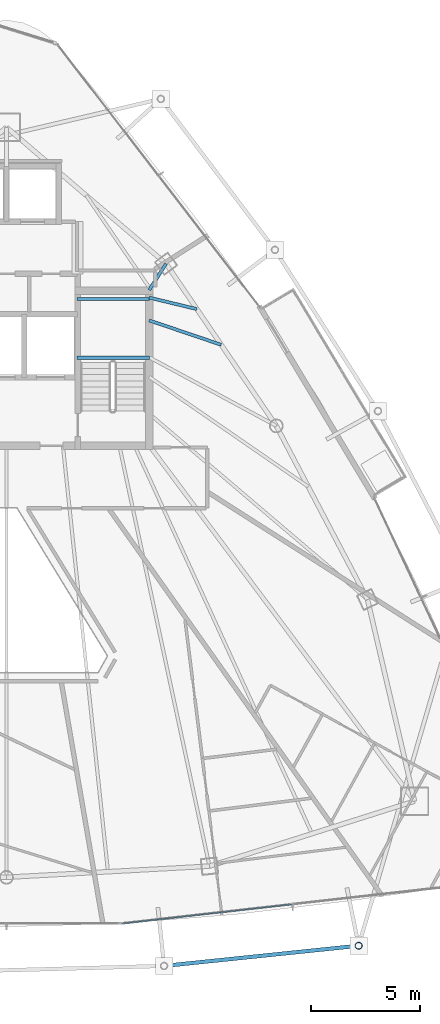
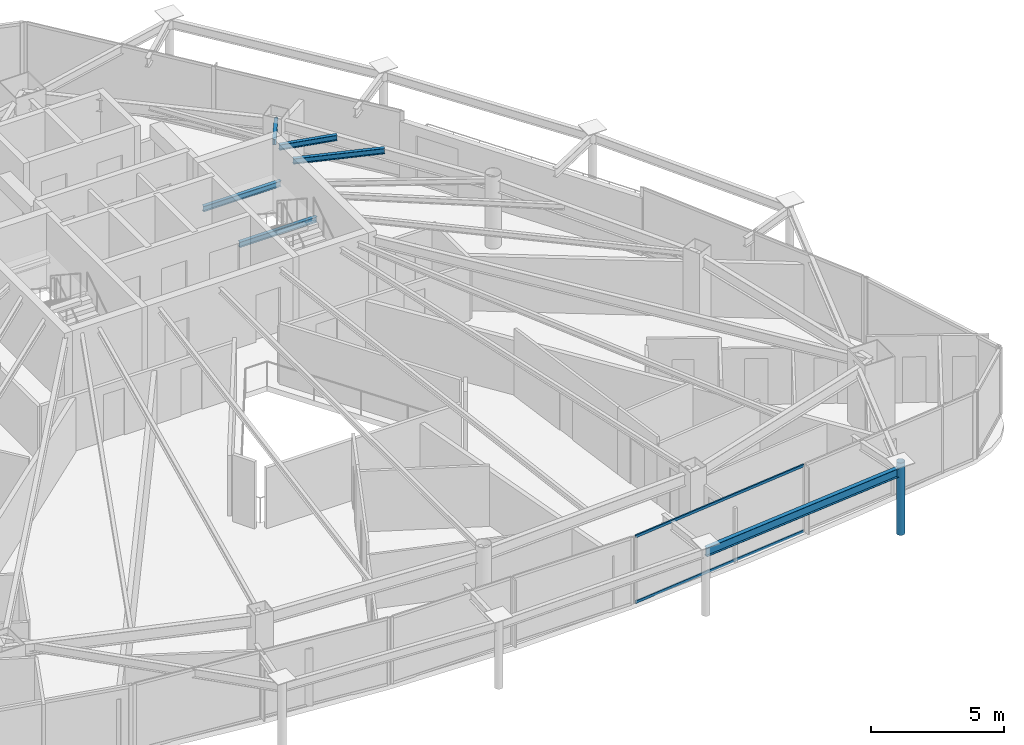
# One storey, part 14 of 33: 6 beams, 3 members, 1 element without a shape of its own.
"""IFC4 building model written with IfcOpenShell, lengths in metres."""

import ifcopenshell
import ifcopenshell.guid

model = None  # the IFC model being written
_history = None  # IfcOwnerHistory: only IFC2X3 demands one
_inside = {}  # id of a spatial element -> (the spatial element, [elements in it])
_under = {}  # id of a project, library or spatial element -> (it, [spatial elements below it])
_declared = {}  # id of a project -> (the project, [libraries it declares])
_typed = {}  # id of a type object -> (the type object, [elements of that type])
_made_of = {}  # id of a material, layer set ... -> (it, [elements and type objects made of it])


def new_model(schema):
    """Start an empty IFC model of exactly this schema.

    Asked for "IFC4X3", IfcOpenShell would pick the latest addendum, in which some entities
    have other attributes; the version numbers below select the first issue.
    IFC2X3 requires an IfcOwnerHistory on every rooted entity: one is made here for all.
    """
    global model, _history
    if schema == "IFC4X3":
        model = ifcopenshell.file(schema_version=(4, 3, 0, 0))
    else:
        model = ifcopenshell.file(schema=schema)
    _inside.clear()
    _under.clear()
    _declared.clear()
    _typed.clear()
    _made_of.clear()
    _history = None
    if model.schema == "IFC2X3":
        org = make("IfcOrganization", Name="unknown")
        user = make(
            "IfcPersonAndOrganization",
            ThePerson=make("IfcPerson", FamilyName="unknown"),
            TheOrganization=org,
        )
        app = make(
            "IfcApplication",
            ApplicationDeveloper=org,
            Version="unknown",
            ApplicationFullName="unknown",
            ApplicationIdentifier="unknown",
        )
        _history = make(
            "IfcOwnerHistory",
            OwningUser=user,
            OwningApplication=app,
            ChangeAction="ADDED",
            CreationDate=0,
        )
    return model


def make(cls, **values):
    """One entity of the class cls with the attributes given. An attribute that is None is left unset."""
    return model.create_entity(
        cls, **{name: value for name, value in values.items() if value is not None}
    )


def rooted(cls, **values):
    """An entity with a GlobalId (a new one), such as an element, a storey or a relation."""
    return make(cls, GlobalId=ifcopenshell.guid.new(), OwnerHistory=_history, **values)


def si_unit(unit_type, name, prefix=None):
    """IfcSIUnit, for example si_unit("LENGTHUNIT", "METRE", prefix="MILLI")."""
    return make("IfcSIUnit", UnitType=unit_type, Prefix=prefix, Name=name)


def assignment(units):
    """IfcUnitAssignment: the units of a project."""
    return None if units is None else make("IfcUnitAssignment", Units=units)


def point(xyz):
    """IfcCartesianPoint."""
    return None if xyz is None else make("IfcCartesianPoint", Coordinates=xyz)


def direction(xyz):
    """IfcDirection."""
    return None if xyz is None else make("IfcDirection", DirectionRatios=xyz)


def frame(location, z_axis=None, x_axis=None):
    """IfcAxis2Placement3D, a coordinate frame: its origin and axes. An axis left out is left unset."""
    return make(
        "IfcAxis2Placement3D",
        Location=point(location),
        Axis=direction(z_axis),
        RefDirection=direction(x_axis),
    )


def frame_2d(location, x_axis=None):
    """IfcAxis2Placement2D, a coordinate frame in the plane: its origin and x axis."""
    return make(
        "IfcAxis2Placement2D", Location=point(location), RefDirection=direction(x_axis)
    )


def origin():
    """The frame at (0, 0, 0) with its axes left unset."""
    return frame((0.0, 0.0, 0.0))


def origin_2d():
    """The frame at (0, 0) in the plane with its x axis left unset."""
    return frame_2d((0.0, 0.0))


def place(relative_to, where):
    """IfcLocalPlacement: puts the frame where relative to a parent placement (None: the world)."""
    return make(
        "IfcLocalPlacement", PlacementRelTo=relative_to, RelativePlacement=where
    )


def context(
    kind, dimensions, precision=None, world=None, true_north=None, identifier=None
):
    """IfcGeometricRepresentationContext, for example the 3D "Model" context."""
    return make(
        "IfcGeometricRepresentationContext",
        ContextIdentifier=identifier,
        ContextType=kind,
        CoordinateSpaceDimension=dimensions,
        Precision=precision,
        WorldCoordinateSystem=world,
        TrueNorth=true_north,
    )


def subcontext(parent, identifier, kind, view, scale=None):
    """IfcGeometricRepresentationSubContext, for example "Body" below "Model"."""
    return make(
        "IfcGeometricRepresentationSubContext",
        ContextIdentifier=identifier,
        ContextType=kind,
        ParentContext=parent,
        TargetScale=scale,
        TargetView=view,
    )


def project(units=None, contexts=None):
    """IfcProject with its units and contexts."""
    return rooted(
        "IfcProject",
        Name="project",
        RepresentationContexts=contexts,
        UnitsInContext=assignment(units),
    )


def spatial(cls, under=None, at=None, **own):
    """A site, building, storey or space (cls), placed at a placement, below another one or the project."""
    s = rooted(cls, ObjectPlacement=at, **own)
    if under is not None:
        _under.setdefault(under.id(), (under, []))[1].append(s)
    return s


def profile(cls, at=None, kind="AREA", **sizes):
    """A parametric profile (cls). Its sizes go by their IFC names, for example OverallWidth=200.0."""
    return make(cls, ProfileType=kind, Position=at, **sizes)


def hollow_rectangle(**sizes):
    """IfcRectangleHollowProfileDef."""
    return profile("IfcRectangleHollowProfileDef", **sizes)


def hollow_circle(**sizes):
    """IfcCircleHollowProfileDef."""
    return profile("IfcCircleHollowProfileDef", **sizes)


def i_section(**sizes):
    """IfcIShapeProfileDef."""
    return profile("IfcIShapeProfileDef", **sizes)


def extrude(swept, where, along, depth):
    """IfcExtrudedAreaSolid: the profile swept, set in the frame where, extruded along a direction by depth."""
    return make(
        "IfcExtrudedAreaSolid",
        SweptArea=swept,
        Position=where,
        ExtrudedDirection=direction(along),
        Depth=depth,
    )


def shape(context_of_items, identifier, shape_type, items):
    """IfcShapeRepresentation: the items that make up one representation, for example the "Body"."""
    return make(
        "IfcShapeRepresentation",
        ContextOfItems=context_of_items,
        RepresentationIdentifier=identifier,
        RepresentationType=shape_type,
        Items=items,
    )


def material(Name=None, Category=None):
    """IfcMaterial."""
    return make("IfcMaterial", Name=Name, Category=Category)


def layer(
    of_material, thickness, ventilated=None, Name=None, Category=None, Priority=None
):
    """IfcMaterialLayer: one layer of a wall or slab, of a material (None: an air gap)."""
    return make(
        "IfcMaterialLayer",
        Material=of_material,
        LayerThickness=thickness,
        IsVentilated=ventilated,
        Name=Name,
        Category=Category,
        Priority=Priority,
    )


def layer_set(layers, Name=None):
    """IfcMaterialLayerSet."""
    return make("IfcMaterialLayerSet", MaterialLayers=layers, LayerSetName=Name)


def material_profile(
    of_material, cross_section, Name=None, Category=None, Priority=None
):
    """IfcMaterialProfile: a cross section and its material."""
    return make(
        "IfcMaterialProfile",
        Name=Name,
        Material=of_material,
        Profile=cross_section,
        Priority=Priority,
        Category=Category,
    )


def profile_set(profiles, Name=None, composite=None):
    """IfcMaterialProfileSet."""
    return make(
        "IfcMaterialProfileSet",
        Name=Name,
        MaterialProfiles=profiles,
        CompositeProfile=composite,
    )


def made_of(thing, what):
    """Note that an element or type object is made of a material, layer set ...; save() writes the relation."""
    if what is not None:
        _made_of.setdefault(what.id(), (what, []))[1].append(thing)
    return thing


def type_object(cls, material=None, **own):
    """A type object (cls), such as IfcWallType, which elements share."""
    return made_of(rooted(cls, **own), material)


def element(
    cls,
    number,
    at=None,
    inside=None,
    cuts=None,
    type_object=None,
    material=None,
    context=None,
    identifier="Body",
    shape_type=None,
    held_by="IfcProductDefinitionShape",
    body=None,
    shapes=None,
    **own,
):
    """One element of the class cls, such as IfcWall. Its Tag is "e" and its number.

    at: its placement. inside: the storey or other place that contains it. cuts: it is an
    opening in that element (IfcRelVoidsElement). A single representation is given by context,
    identifier, shape_type and body (its items); several are given by shapes. held_by: the class
    of the entity that holds the representations. save() writes the other relations.
    """
    e = rooted(cls, Tag="e%d" % number, ObjectPlacement=at, **own)
    if body is not None:
        shapes = [shape(context, identifier, shape_type, body)]
    if shapes is not None:
        e.Representation = make(held_by, Representations=shapes)
    if inside is not None:
        _inside.setdefault(inside.id(), (inside, []))[1].append(e)
    if cuts is not None:
        rooted(
            "IfcRelVoidsElement", RelatingBuildingElement=cuts, RelatedOpeningElement=e
        )
    if type_object is not None:
        _typed.setdefault(type_object.id(), (type_object, []))[1].append(e)
    return made_of(e, material)


def aggregate(whole, parts):
    """IfcRelAggregates: a whole, such as a stair, and the parts it consists of."""
    return rooted("IfcRelAggregates", RelatingObject=whole, RelatedObjects=parts)


def save(model, path):
    """Write the relations noted so far, then the file.

    IfcRelAggregates (storeys below a building ...), IfcRelContainedInSpatialStructure (elements
    in a storey), IfcRelDefinesByType, IfcRelAssociatesMaterial and IfcRelDeclares: one each for
    every whole, place, type object, material and project.
    """
    for whole, parts in _under.values():
        aggregate(whole, parts)
    for where, things in _inside.values():
        rooted(
            "IfcRelContainedInSpatialStructure",
            RelatedElements=things,
            RelatingStructure=where,
        )
    for kind, things in _typed.values():
        rooted("IfcRelDefinesByType", RelatedObjects=things, RelatingType=kind)
    for what, things in _made_of.values():
        rooted("IfcRelAssociatesMaterial", RelatedObjects=things, RelatingMaterial=what)
    for by, libraries in _declared.values():
        rooted("IfcRelDeclares", RelatingContext=by, RelatedDefinitions=libraries)
    model.write(path)


model = new_model("IFC4")

# Units and contexts
model_context = context("Model", 3, precision=1e-05, world=origin(), true_north=direction((0.0, 1.0)))
body_context = subcontext(model_context, "Body", "Model", "MODEL_VIEW")
ifc_project = project(units=[si_unit("LENGTHUNIT", "METRE"), si_unit("AREAUNIT", "SQUARE_METRE"), si_unit("VOLUMEUNIT", "CUBIC_METRE"), si_unit("PLANEANGLEUNIT", "RADIAN"), si_unit("MASSUNIT", "GRAM", prefix="KILO")], contexts=[model_context])

# Site, building, storey
site_placement = place(None, origin())
site = spatial("IfcSite", under=ifc_project, at=site_placement, CompositionType="ELEMENT")
building_placement = place(site_placement, origin())
building = spatial("IfcBuilding", under=site, at=building_placement, Name="Orvanel Arch Residences", CompositionType="ELEMENT")
storey_placement = place(building_placement, frame((0.0, 0.0, 212.89990234375)))
storey = spatial("IfcBuildingStorey", under=building, at=storey_placement, Name="L60", CompositionType="ELEMENT", Elevation=212.89990234375)

# Beams
ifc_material_1 = material(Name="Structural steel AS/NZS 3679.1 Grade 300 (300 MPa)", Category="steel")
ifc_material_profile_1 = material_profile(ifc_material_1, i_section(OverallWidth=0.14599609375, OverallDepth=0.251953125, WebThickness=0.006103515625, FlangeThickness=0.008544921875, at=origin_2d()), Name="250UB31.4")
ifc_profile_set_1 = profile_set([ifc_material_profile_1], Name="Structural steel AS/NZS 3679.1 Grade 300 (300 MPa)")
beam_type_1 = type_object("IfcBeamType", Name="BJ-250UB", PredefinedType="JOIST", material=ifc_profile_set_1)
for number, where, z_axis, x_axis, name in (
    (1, (36.25, 30.780029296875, 1.32421875), (1.0, 0.0, 0.0), (0.0, 1.0, 0.0), "L60 ST-2 Half-Landing Support Beam 1.1"),
    (2, (36.25, 33.47998046875, 1.32421875), (1.0, 0.0, 0.0), (0.0, 1.0, 0.0), "L60 ST-2 Half-Landing Support Beam 1.2"),
):
    element("IfcBeam", number, at=place(storey_placement, frame(where, z_axis=z_axis, x_axis=x_axis)), inside=storey, type_object=beam_type_1, Name=name, PredefinedType="JOIST", context=body_context, shape_type="SweptSolid", body=[
        extrude(i_section(OverallWidth=0.14599609375, OverallDepth=0.251953125, WebThickness=0.006103515625, FlangeThickness=0.008544921875, at=origin_2d()), origin(), (0.0, 0.0, 1.0), 3.35009765625),
    ])
beam_1_placement = place(storey_placement, frame((39.574951171875, 33.89990234375, 2.93408203125), z_axis=(0.539395075146, 0.842052820735, 0.0), x_axis=(-0.842052820735, 0.539395075146, 0.0)))
element("IfcBeam", 3, at=beam_1_placement, inside=storey, type_object=beam_type_1, Name="L60 NNE Wing Floor Joist", PredefinedType="JOIST", context=body_context, shape_type="SweptSolid", body=[
    extrude(i_section(OverallWidth=0.14599609375, OverallDepth=0.251953125, WebThickness=0.006103515625, FlangeThickness=0.008544921875, at=origin_2d()), origin(), (0.0, 0.0, 1.0), 1.440673828125),
])
beam_2_placement = place(storey_placement, frame((39.574951171875, 32.5, 2.93408203125), z_axis=(0.947159269453, -0.320763648641, 0.0), x_axis=(0.320763648641, 0.947159269453, 0.0)))
element("IfcBeam", 4, at=beam_2_placement, inside=storey, type_object=beam_type_1, Name="L60 ENE Wing Floor Joist", PredefinedType="JOIST", context=body_context, shape_type="SweptSolid", body=[
    extrude(i_section(OverallWidth=0.14599609375, OverallDepth=0.251953125, WebThickness=0.006103515625, FlangeThickness=0.008544921875, at=origin_2d()), origin(), (0.0, 0.0, 1.0), 3.501220703125),
])
beam_3_placement = place(storey_placement, frame((39.574951171875, 33.550048828125, 2.93408203125), z_axis=(0.972256833016, -0.23391590509, 0.0), x_axis=(0.23391590509, 0.972256833016, 0.0)))
element("IfcBeam", 5, at=beam_3_placement, inside=storey, type_object=beam_type_1, Name="L60 JADD4 Wing Floor Joist", PredefinedType="JOIST", context=body_context, shape_type="SweptSolid", body=[
    extrude(i_section(OverallWidth=0.14599609375, OverallDepth=0.251953125, WebThickness=0.006103515625, FlangeThickness=0.008544921875, at=origin_2d()), origin(), (0.0, 0.0, 1.0), 2.26171875),
])
ifc_material_profile_2 = material_profile(ifc_material_1, i_section(OverallWidth=0.177978515625, OverallDepth=0.406005859375, WebThickness=0.0078125, FlangeThickness=0.0126953125, at=origin_2d()), Name="410UB59.7")
ifc_profile_set_2 = profile_set([ifc_material_profile_2], Name="Structural steel AS/NZS 3679.1 Grade 300 (300 MPa)")
beam_type_2 = type_object("IfcBeamType", Name="OB-410UB-EXT", PredefinedType="SPANDREL", material=ifc_profile_set_2)
beam_4_placement = place(storey_placement, frame((40.260986328125, 2.759033203125, 2.857177734375), z_axis=(0.994662112957, 0.103185662997, 0.0), x_axis=(-0.103185662997, 0.994662112957, 0.0)))
element("IfcBeam", 6, at=beam_4_placement, inside=storey, type_object=beam_type_2, Name="L60 Outer Perimeter Floor Ring Beam 07", PredefinedType="SPANDREL", context=body_context, shape_type="SweptSolid", body=[
    extrude(i_section(OverallWidth=0.177978515625, OverallDepth=0.406005859375, WebThickness=0.0078125, FlangeThickness=0.0126953125, at=origin_2d()), origin(), (0.0, 0.0, 1.0), 9.01220703125),
])

# Member
ifc_material_2 = material(Name="Structural steel AS/NZS 1163 C350L0 (Grade 350)", Category="steel")
ifc_material_profile_3 = material_profile(ifc_material_2, hollow_circle(Radius=0.162109375, WallThickness=0.0126953125, at=origin_2d()), Name="CHS324x12.7")
ifc_profile_set_3 = profile_set([ifc_material_profile_3], Name="Structural steel AS/NZS 1163 C350L0 (Grade 350)")
member_type_1 = type_object("IfcMemberType", Name="ST-324CHS-EXT", PredefinedType="STRUT", material=ifc_profile_set_3)
member_1_placement = place(storey_placement, frame((49.22509765625, 3.68896484375, 0.0), z_axis=(0.0, 0.0, 1.0), x_axis=(1.0, 0.0, 0.0)))
element("IfcMember", 7, at=member_1_placement, inside=storey, type_object=member_type_1, Name="L60 Outer Perimeter Frame Post 08", PredefinedType="STRUT", context=body_context, shape_type="SweptSolid", body=[
    extrude(hollow_circle(Radius=0.162109375, WallThickness=0.0126953125, at=origin_2d()), origin(), (0.0, 0.0, 1.0), 3.300048828125),
])

# Curtain wall, members
ifc_material_3 = material(Name="Bronze-anodised aluminium AA6063-T6", Category="aluminium")
ifc_layer = layer(ifc_material_3, 0.175048828125)
ifc_layer_set = layer_set([ifc_layer], Name="Bronze-anodised aluminium AA6063-T6")
curtain_wall_type = type_object("IfcCurtainWallType", Name="CW4-HI-SYS", PredefinedType="NOTDEFINED", material=ifc_layer_set)
curtain_wall_placement = place(storey_placement, origin())
curtain_wall = element("IfcCurtainWall", 8, at=curtain_wall_placement, inside=storey, type_object=curtain_wall_type, Name="L60 CW4-HI-SYS Unitised Curtain Wall", PredefinedType="NOTDEFINED")
ifc_material_profile_4 = material_profile(ifc_material_3, hollow_rectangle(XDim=0.06005859375, YDim=0.1201171875, WallThickness=0.00341796875, at=origin_2d()), Name="ALU120x60x3.5")
ifc_profile_set_4 = profile_set([ifc_material_profile_4], Name="Bronze-anodised aluminium AA6063-T6")
member_type_2 = type_object("IfcMemberType", Name="TRN-120x60", PredefinedType="USERDEFINED", material=ifc_profile_set_4)
member_2_placement = place(storey_placement, frame((38.3515625, 4.71630859375, 0.030029296875), z_axis=(0.993706100485, 0.112018685313, 0.0), x_axis=(-0.112018685313, 0.993706100485, 0.0)))
member_2 = element("IfcMember", 9, at=member_2_placement, type_object=member_type_2, Name="CW-S4 transom 1.1", ObjectType="TRANSOM", PredefinedType="USERDEFINED", context=body_context, shape_type="SweptSolid", body=[
    extrude(hollow_rectangle(XDim=0.06005859375, YDim=0.1201171875, WallThickness=0.00341796875, at=origin_2d()), origin(), (0.0, 0.0, 1.0), 7.8330078125),
])
member_3_placement = place(storey_placement, frame((38.3515625, 4.71630859375, 3.030029296875), z_axis=(0.993706100485, 0.112018685313, 0.0), x_axis=(-0.112018685313, 0.993706100485, 0.0)))
member_3 = element("IfcMember", 10, at=member_3_placement, type_object=member_type_2, Name="CW-S4 transom 1.2", ObjectType="TRANSOM", PredefinedType="USERDEFINED", context=body_context, shape_type="SweptSolid", body=[
    extrude(hollow_rectangle(XDim=0.06005859375, YDim=0.1201171875, WallThickness=0.00341796875, at=origin_2d()), origin(), (0.0, 0.0, 1.0), 7.8330078125),
])
aggregate(curtain_wall, [member_2, member_3])

save(model, "model.ifc")
